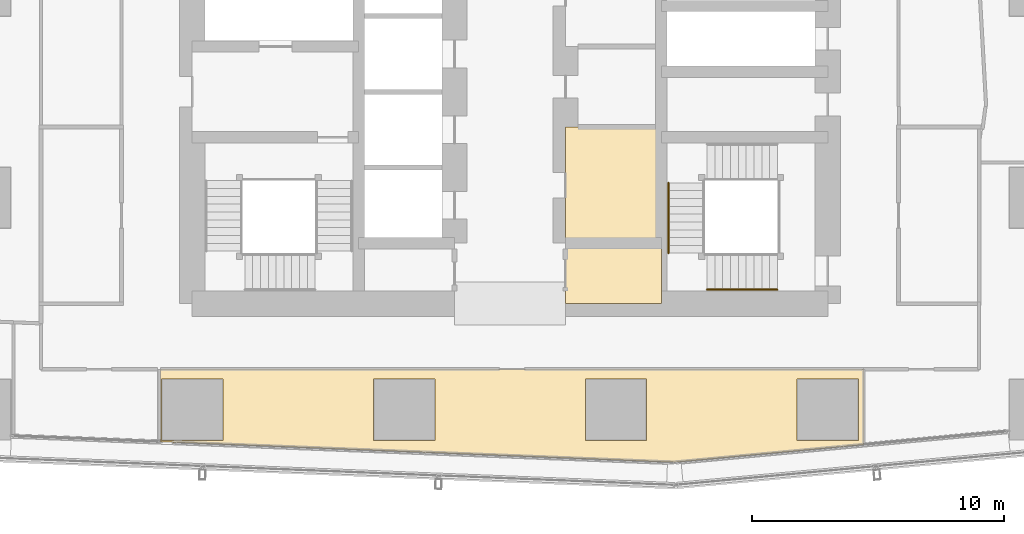
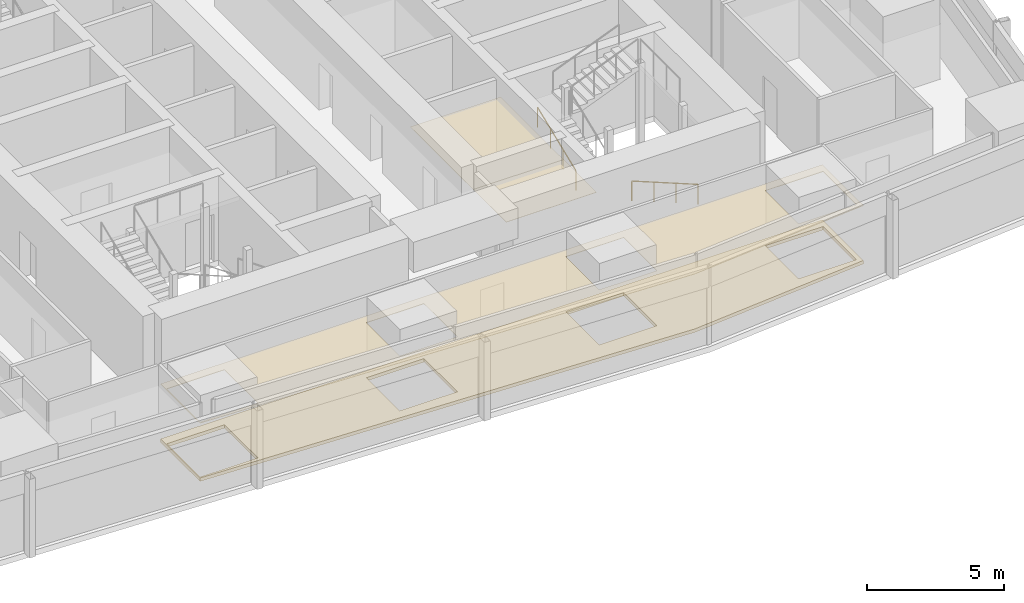
# One storey, part 34 of 37: 4 coverings, 2 railings.
"""IFC4 building model written with IfcOpenShell, lengths in metres."""

from ifc_helpers import new_model, si_unit, direction, frame, origin, origin_2d, place, context, subcontext, project, spatial, polyline, circle, outline, extrude, material, layer, layer_set, type_object, element, save


model = new_model("IFC4")

# Units and contexts
model_context = context("Model", 3, precision=1e-05, world=origin(), true_north=direction((0.0, 1.0)))
body_context = subcontext(model_context, "Body", "Model", "MODEL_VIEW")
ifc_project = project(units=[si_unit("LENGTHUNIT", "METRE"), si_unit("AREAUNIT", "SQUARE_METRE"), si_unit("VOLUMEUNIT", "CUBIC_METRE"), si_unit("PLANEANGLEUNIT", "RADIAN"), si_unit("MASSUNIT", "GRAM", prefix="KILO")], contexts=[model_context])

# Site, building, storey
site_placement = place(None, origin())
site = spatial("IfcSite", under=ifc_project, at=site_placement, CompositionType="ELEMENT")
building_placement = place(site_placement, origin())
building = spatial("IfcBuilding", under=site, at=building_placement, Name="Rekha Terrace Tower", CompositionType="ELEMENT")
storey_placement = place(building_placement, frame((0.0, 0.0, 228.949951171875)))
storey = spatial("IfcBuildingStorey", under=building, at=storey_placement, Name="L58", CompositionType="ELEMENT", Elevation=228.949951171875)

# Coverings
ifc_material_1 = material(Name="Mineral fibre tile in exposed grid", Category="finish")
ifc_layer_1 = layer(ifc_material_1, 0.02001953125)
ifc_layer_set_1 = layer_set([ifc_layer_1], Name="Mineral fibre tile in exposed grid")
covering_type_1 = type_object("IfcCoveringType", Name="CL1 600x1200 office grid ceiling", PredefinedType="CEILING", material=ifc_layer_set_1)
covering_1_placement = place(storey_placement, frame((0.0, 0.0, 2.580078125)))
element("IfcCovering", 1, at=covering_1_placement, inside=storey, type_object=covering_type_1, Name="Ceiling L58-02", PredefinedType="CEILING", context=body_context, shape_type="SweptSolid", body=[
    extrude(outline(polyline([(51.81103515625, 18.39990234375), (23.944091796875, 18.39990234375), (23.944091796875, 15.52490234375), (35.052978515625, 15.0810546875), (43.345947265625, 14.7509765625), (44.31201171875, 14.7119140625), (51.81103515625, 15.409912109375), (51.81103515625, 18.39990234375)]), holes=[polyline([(51.614990234375, 15.5849609375), (49.18505859375, 15.5849609375), (49.18505859375, 18.014892578125), (51.614990234375, 18.014892578125), (51.614990234375, 15.5849609375)]), polyline([(43.215087890625, 18.014892578125), (43.215087890625, 15.5849609375), (40.784912109375, 15.5849609375), (40.784912109375, 18.014892578125), (43.215087890625, 18.014892578125)]), polyline([(34.81494140625, 15.5849609375), (32.385009765625, 15.5849609375), (32.385009765625, 18.014892578125), (34.81494140625, 18.014892578125), (34.81494140625, 15.5849609375)]), polyline([(26.4150390625, 18.014892578125), (26.4150390625, 15.5849609375), (23.985107421875, 15.5849609375), (23.985107421875, 18.014892578125), (26.4150390625, 18.014892578125)])]), origin(), (0.0, 0.0, 1.0), 0.02001953125),
])
ifc_material_2 = material(Name="Fibre cement board", Category="finish")
ifc_layer_2 = layer(ifc_material_2, 0.014892578125)
ifc_layer_set_2 = layer_set([ifc_layer_2], Name="Fibre cement board")
covering_type_2 = type_object("IfcCoveringType", Name="CL2 moisture-resistant board ceiling", PredefinedType="CEILING", material=ifc_layer_set_2)
covering_2_placement = place(storey_placement, frame((0.0, 0.0, 2.5849609375)))
element("IfcCovering", 2, at=covering_2_placement, inside=storey, type_object=covering_type_2, Name="Ceiling L58-WCA", PredefinedType="CEILING", context=body_context, shape_type="SweptSolid", body=[
    extrude(outline(polyline([(43.800048828125, 23.39990234375), (40.0, 23.39990234375), (40.0, 21.0), (43.800048828125, 21.0), (43.800048828125, 23.39990234375)])), origin(), (0.0, 0.0, 1.0), 0.01513671875),
])
covering_3_placement = place(storey_placement, frame((0.0, 0.0, 2.5849609375)))
element("IfcCovering", 3, at=covering_3_placement, inside=storey, type_object=covering_type_2, Name="Ceiling L58-FSE1", PredefinedType="CEILING", context=body_context, shape_type="SweptSolid", body=[
    extrude(outline(polyline([(43.800048828125, 28.0), (40.0, 28.0), (40.0, 23.39990234375), (43.800048828125, 23.39990234375), (43.800048828125, 28.0)])), origin(), (0.0, 0.0, 1.0), 0.01513671875),
])

# Railings
ifc_material_3 = material(Name="Stainless steel tube", Category="steel")
railing_type = type_object("IfcRailingType", Name="HR1 900 stair handrail", PredefinedType="HANDRAIL", material=ifc_material_3)
railing_1_placement = place(storey_placement, frame((48.39990234375, 21.56005859375, 0.125)))
element("IfcRailing", 4, at=railing_1_placement, inside=storey, type_object=railing_type, Name="Handrail ST3 L58 flight 1", PredefinedType="HANDRAIL", context=body_context, shape_type="SweptSolid", body=[
    extrude(circle(Radius=0.02392578125, at=origin_2d()), frame((0.0, 0.0, 0.8759765625), z_axis=(-0.927431937212, 0.0, 0.373991980981), x_axis=(0.0, -1.0, 0.0)), (0.0, 0.0, 1.0), 3.008056640625),
    extrude(circle(Radius=0.02099609375, at=origin_2d()), origin(), (0.0, 0.0, 1.0), 0.851806640625),
    extrude(circle(Radius=0.02099609375, at=origin_2d()), frame((-0.929931640625, 0.0, 0.375)), (0.0, 0.0, 1.0), 0.851806640625),
    extrude(circle(Radius=0.02099609375, at=origin_2d()), frame((-1.85986328125, 0.0, 0.75)), (0.0, 0.0, 1.0), 0.851806640625),
    extrude(circle(Radius=0.02099609375, at=origin_2d()), frame((-2.789794921875, 0.0, 1.125)), (0.0, 0.0, 1.0), 0.851806640625),
])
railing_2_placement = place(storey_placement, frame((44.0849609375, 23.0, 1.375)))
element("IfcRailing", 5, at=railing_2_placement, inside=storey, type_object=railing_type, Name="Handrail ST3 L58 flight 2", PredefinedType="HANDRAIL", context=body_context, shape_type="SweptSolid", body=[
    extrude(circle(Radius=0.02392578125, at=origin_2d()), frame((0.0, 0.0, 0.8759765625), z_axis=(0.0, 0.927443287984, 0.373963831907), x_axis=(-1.0, 0.0, 0.0)), (0.0, 0.0, 1.0), 3.00830078125),
    extrude(circle(Radius=0.02099609375, at=origin_2d()), origin(), (0.0, 0.0, 1.0), 0.851806640625),
    extrude(circle(Radius=0.02099609375, at=origin_2d()), frame((0.0, 0.929931640625, 0.375)), (0.0, 0.0, 1.0), 0.851806640625),
    extrude(circle(Radius=0.02099609375, at=origin_2d()), frame((0.0, 1.860107421875, 0.75)), (0.0, 0.0, 1.0), 0.851806640625),
    extrude(circle(Radius=0.02099609375, at=origin_2d()), frame((0.0, 2.7900390625, 1.125)), (0.0, 0.0, 1.0), 0.851806640625),
])

# Covering
ifc_material_4 = material(Name="Calcium sulphate panels on steel pedestals", Category="steel")
ifc_layer_3 = layer(ifc_material_4, 0.14990234375)
ifc_layer_set_3 = layer_set([ifc_layer_3], Name="Calcium sulphate panels on steel pedestals")
covering_type_3 = type_object("IfcCoveringType", Name="RF1 150 raised access floor", PredefinedType="FLOORING", material=ifc_layer_set_3)
covering_4_placement = place(storey_placement, origin())
element("IfcCovering", 6, at=covering_4_placement, inside=storey, type_object=covering_type_3, Name="Raised floor L58-02", PredefinedType="FLOORING", context=body_context, shape_type="SweptSolid", body=[
    extrude(outline(polyline([(51.81103515625, 18.39990234375), (23.944091796875, 18.39990234375), (23.944091796875, 15.52490234375), (35.052978515625, 15.0810546875), (43.345947265625, 14.7509765625), (44.31201171875, 14.7119140625), (51.81103515625, 15.409912109375), (51.81103515625, 18.39990234375)]), holes=[polyline([(51.614990234375, 15.5849609375), (49.18505859375, 15.5849609375), (49.18505859375, 18.014892578125), (51.614990234375, 18.014892578125), (51.614990234375, 15.5849609375)]), polyline([(43.215087890625, 18.014892578125), (43.215087890625, 15.5849609375), (40.784912109375, 15.5849609375), (40.784912109375, 18.014892578125), (43.215087890625, 18.014892578125)]), polyline([(34.81494140625, 15.5849609375), (32.385009765625, 15.5849609375), (32.385009765625, 18.014892578125), (34.81494140625, 18.014892578125), (34.81494140625, 15.5849609375)]), polyline([(26.4150390625, 18.014892578125), (26.4150390625, 15.5849609375), (23.985107421875, 15.5849609375), (23.985107421875, 18.014892578125), (26.4150390625, 18.014892578125)])]), origin(), (0.0, 0.0, 1.0), 0.150146484375),
])

save(model, "model.ifc")
